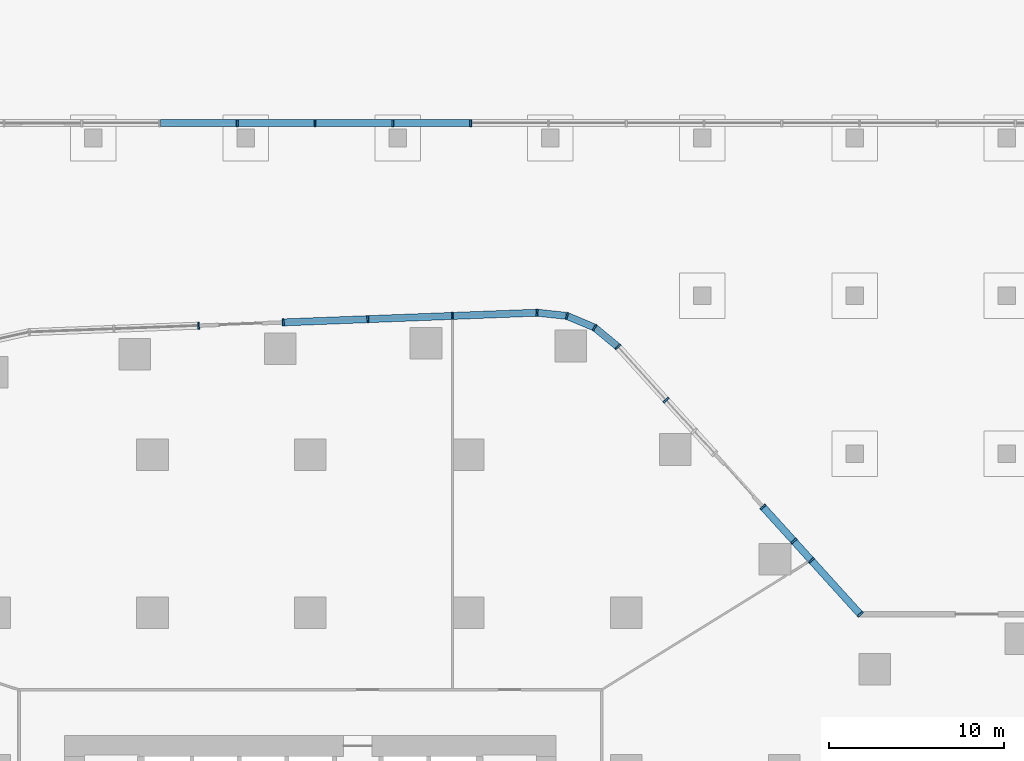
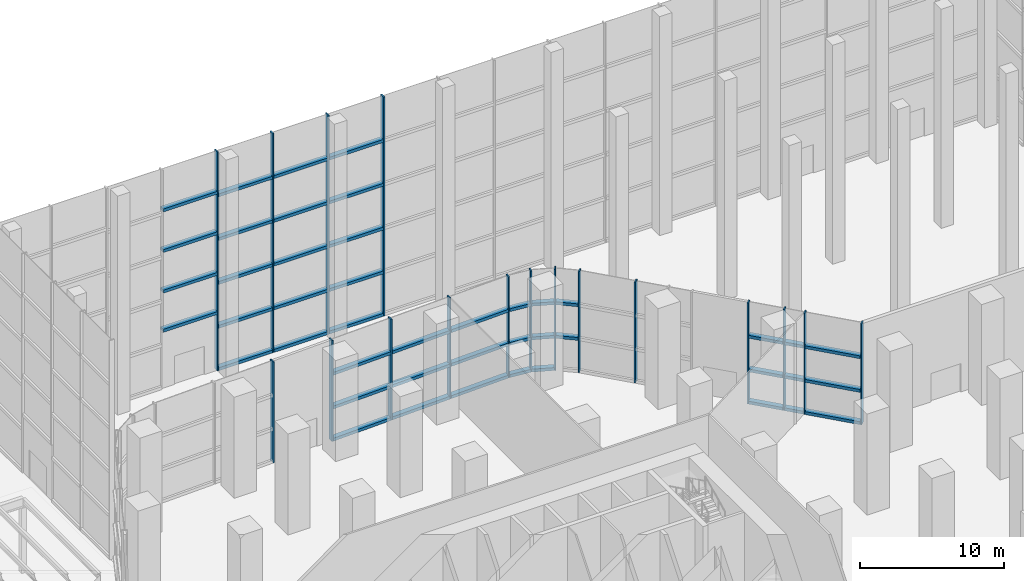
# One storey, part 17 of 40: 62 members, 8 elements without a shape of their own.
"""IFC4 building model written with IfcOpenShell, lengths in metres."""

from ifc_helpers import new_model, si_unit, direction, frame, origin, origin_2d, place, context, subcontext, project, spatial, rectangle, extrude, material, layer, layer_set, material_profile, profile_set, type_object, element, aggregate, save


model = new_model("IFC4")

# Units and contexts
model_context = context("Model", 3, precision=1e-05, world=origin(), true_north=direction((0.0, 1.0)))
body_context = subcontext(model_context, "Body", "Model", "MODEL_VIEW")
ifc_project = project(units=[si_unit("LENGTHUNIT", "METRE"), si_unit("AREAUNIT", "SQUARE_METRE"), si_unit("VOLUMEUNIT", "CUBIC_METRE"), si_unit("PLANEANGLEUNIT", "RADIAN"), si_unit("MASSUNIT", "GRAM", prefix="KILO")], contexts=[model_context])

# Site, building, storey
site_placement = place(None, origin())
site = spatial("IfcSite", under=ifc_project, at=site_placement, CompositionType="ELEMENT")
building_placement = place(site_placement, origin())
building = spatial("IfcBuilding", under=site, at=building_placement, Name="Dongbaek Canopy Tower", CompositionType="ELEMENT")
storey_placement = place(building_placement, origin())
storey = spatial("IfcBuildingStorey", under=building, at=storey_placement, Name="L00", CompositionType="ELEMENT", Elevation=0.0)

# Curtain wall, members
ifc_material_1 = material(Name="Aluminium 6063-T6 pale anodised", Category="aluminium")
ifc_layer = layer(ifc_material_1, 0.39990234375)
ifc_layer_set = layer_set([ifc_layer], Name="CW-3 lobby double-height curtain wall")
curtain_wall_type = type_object("IfcCurtainWallType", Name="CW-3 lobby double-height curtain wall", PredefinedType="NOTDEFINED", material=ifc_layer_set)
curtain_wall_1_placement = place(storey_placement, origin())
curtain_wall_1 = element("IfcCurtainWall", 1, at=curtain_wall_1_placement, inside=storey, type_object=curtain_wall_type, Name="CW-3 curtain wall F5.1a", PredefinedType="NOTDEFINED")
ifc_material_2 = material(Name="Aluminium 6063-T6 pale anodised", Category="aluminium")
ifc_material_profile_1 = material_profile(ifc_material_2, rectangle(XDim=0.39990234375, YDim=0.10009765625, at=origin_2d()), Name="CW-3 mullion 100 x 400")
ifc_profile_set_1 = profile_set([ifc_material_profile_1], Name="Aluminium 6063-T6 pale anodised")
member_type_1 = type_object("IfcMemberType", Name="CW-3 mullion 100 x 400", PredefinedType="MULLION", material=ifc_profile_set_1)
member_1_placement = place(storey_placement, frame((31.33837890625, 17.89990234375, 0.0), z_axis=(0.0, 0.0, 1.0), x_axis=(0.741222237121, 0.671259707711, 0.0)))
member_1 = element("IfcMember", 2, at=member_1_placement, type_object=member_type_1, Name="CW-3 mullion F5.1a.1", PredefinedType="MULLION", context=body_context, shape_type="SweptSolid", body=[
    extrude(rectangle(XDim=0.39990234375, YDim=0.10009765625, at=origin_2d()), origin(), (0.0, 0.0, 1.0), 8.550048828125),
])
member_2_placement = place(storey_placement, frame((28.55126953125, 20.977783203125, 0.0), z_axis=(0.0, 0.0, 1.0), x_axis=(0.741222237121, 0.671259707711, 0.0)))
member_2 = element("IfcMember", 3, at=member_2_placement, type_object=member_type_1, Name="CW-3 mullion F5.1a.2", PredefinedType="MULLION", context=body_context, shape_type="SweptSolid", body=[
    extrude(rectangle(XDim=0.39990234375, YDim=0.10009765625, at=origin_2d()), origin(), (0.0, 0.0, 1.0), 8.550048828125),
])
member_3_placement = place(storey_placement, frame((27.552490234375, 22.08056640625, 0.0), z_axis=(0.0, 0.0, 1.0), x_axis=(0.741222237121, 0.671259707711, 0.0)))
member_3 = element("IfcMember", 4, at=member_3_placement, type_object=member_type_1, Name="CW-3 mullion F5.1a.3", PredefinedType="MULLION", context=body_context, shape_type="SweptSolid", body=[
    extrude(rectangle(XDim=0.39990234375, YDim=0.10009765625, at=origin_2d()), origin(), (0.0, 0.0, 1.0), 8.550048828125),
])

# Curtain wall, member
curtain_wall_2_placement = place(storey_placement, origin())
curtain_wall_2 = element("IfcCurtainWall", 5, at=curtain_wall_2_placement, inside=storey, type_object=curtain_wall_type, Name="CW-3 curtain wall F5.1b", PredefinedType="NOTDEFINED")
member_4_placement = place(storey_placement, frame((25.793701171875, 24.022705078125, 0.0), z_axis=(0.0, 0.0, 1.0), x_axis=(0.741222237121, 0.671259707711, 0.0)))
member_4 = element("IfcMember", 6, at=member_4_placement, type_object=member_type_1, Name="CW-3 mullion F5.1b.2", PredefinedType="MULLION", context=body_context, shape_type="SweptSolid", body=[
    extrude(rectangle(XDim=0.39990234375, YDim=0.10009765625, at=origin_2d()), origin(), (0.0, 0.0, 1.0), 8.550048828125),
])

# Curtain wall, members
curtain_wall_3_placement = place(storey_placement, origin())
curtain_wall_3 = element("IfcCurtainWall", 7, at=curtain_wall_3_placement, inside=storey, type_object=curtain_wall_type, Name="CW-3 curtain wall F5.2b", PredefinedType="NOTDEFINED")
member_5_placement = place(storey_placement, frame((20.27880859375, 30.1123046875, 0.0), z_axis=(0.0, 0.0, 1.0), x_axis=(0.741222237121, 0.671259707711, 0.0)))
member_5 = element("IfcMember", 8, at=member_5_placement, type_object=member_type_1, Name="CW-3 mullion F5.2b.2", PredefinedType="MULLION", context=body_context, shape_type="SweptSolid", body=[
    extrude(rectangle(XDim=0.39990234375, YDim=0.10009765625, at=origin_2d()), origin(), (0.0, 0.0, 1.0), 8.550048828125),
])
member_6_placement = place(storey_placement, frame((17.5263671875, 33.15185546875, 0.0), z_axis=(0.0, 0.0, 1.0), x_axis=(0.741222237121, 0.671259707711, 0.0)))
member_6 = element("IfcMember", 9, at=member_6_placement, type_object=member_type_1, Name="CW-3 mullion F5.2b.3", PredefinedType="MULLION", context=body_context, shape_type="SweptSolid", body=[
    extrude(rectangle(XDim=0.39990234375, YDim=0.10009765625, at=origin_2d()), origin(), (0.0, 0.0, 1.0), 8.550048828125),
])
aggregate(curtain_wall_3, [member_5, member_6])

curtain_wall_4_placement = place(storey_placement, origin())
curtain_wall_4 = element("IfcCurtainWall", 10, at=curtain_wall_4_placement, inside=storey, type_object=curtain_wall_type, Name="CW-3 curtain wall K1.1", PredefinedType="NOTDEFINED")
member_7_placement = place(storey_placement, frame((16.200439453125, 34.24462890625, 0.0), z_axis=(0.0, 0.0, 1.0), x_axis=(0.517430788753, 0.855725060315, 0.0)))
member_7 = element("IfcMember", 11, at=member_7_placement, type_object=member_type_1, Name="CW-3 mullion K1.1.2", PredefinedType="MULLION", context=body_context, shape_type="SweptSolid", body=[
    extrude(rectangle(XDim=0.39990234375, YDim=0.10009765625, at=origin_2d()), origin(), (0.0, 0.0, 1.0), 8.550048828125),
])
member_8_placement = place(storey_placement, frame((14.62353515625, 34.908203125, 0.0), z_axis=(0.0, 0.0, 1.0), x_axis=(0.250118115276, 0.968215331634, 0.0)))
member_8 = element("IfcMember", 12, at=member_8_placement, type_object=member_type_1, Name="CW-3 mullion K1.1.3", PredefinedType="MULLION", context=body_context, shape_type="SweptSolid", body=[
    extrude(rectangle(XDim=0.39990234375, YDim=0.10009765625, at=origin_2d()), origin(), (0.0, 0.0, 1.0), 8.550048828125),
])
member_9_placement = place(storey_placement, frame((12.915283203125, 35.092041015625, 0.0), z_axis=(0.0, 0.0, 1.0), x_axis=(0.107074580622, 0.994250991543, 0.0)))
member_9 = element("IfcMember", 13, at=member_9_placement, type_object=member_type_1, Name="CW-3 mullion K1.1.4", PredefinedType="MULLION", context=body_context, shape_type="SweptSolid", body=[
    extrude(rectangle(XDim=0.39990234375, YDim=0.10009765625, at=origin_2d()), origin(), (0.0, 0.0, 1.0), 8.550048828125),
])

curtain_wall_5_placement = place(storey_placement, origin())
curtain_wall_5 = element("IfcCurtainWall", 14, at=curtain_wall_5_placement, inside=storey, type_object=curtain_wall_type, Name="CW-3 curtain wall F6.1", PredefinedType="NOTDEFINED")
member_10_placement = place(storey_placement, frame((8.0986328125, 34.907958984375, 0.0), z_axis=(0.0, 0.0, 1.0), x_axis=(-0.038231975991, 0.999268890746, 0.0)))
member_10 = element("IfcMember", 15, at=member_10_placement, type_object=member_type_1, Name="CW-3 mullion F6.1.2", PredefinedType="MULLION", context=body_context, shape_type="SweptSolid", body=[
    extrude(rectangle(XDim=0.39990234375, YDim=0.10009765625, at=origin_2d()), origin(), (0.0, 0.0, 1.0), 8.550048828125),
])
member_11_placement = place(storey_placement, frame((3.27490234375, 34.723388671875, 0.0), z_axis=(0.0, 0.0, 1.0), x_axis=(-0.038231975991, 0.999268890746, 0.0)))
member_11 = element("IfcMember", 16, at=member_11_placement, type_object=member_type_1, Name="CW-3 mullion F6.1.3", PredefinedType="MULLION", context=body_context, shape_type="SweptSolid", body=[
    extrude(rectangle(XDim=0.39990234375, YDim=0.10009765625, at=origin_2d()), origin(), (0.0, 0.0, 1.0), 8.550048828125),
])
member_12_placement = place(storey_placement, frame((-1.549072265625, 34.538818359375, 0.0), z_axis=(0.0, 0.0, 1.0), x_axis=(-0.038231975991, 0.999268890746, 0.0)))
member_12 = element("IfcMember", 17, at=member_12_placement, type_object=member_type_1, Name="CW-3 mullion F6.1.4", PredefinedType="MULLION", context=body_context, shape_type="SweptSolid", body=[
    extrude(rectangle(XDim=0.39990234375, YDim=0.10009765625, at=origin_2d()), origin(), (0.0, 0.0, 1.0), 8.550048828125),
])

# Curtain wall, member
curtain_wall_6_placement = place(storey_placement, origin())
curtain_wall_6 = element("IfcCurtainWall", 18, at=curtain_wall_6_placement, inside=storey, type_object=curtain_wall_type, Name="CW-3 curtain wall F6.2", PredefinedType="NOTDEFINED")
member_13_placement = place(storey_placement, frame((-6.372802734375, 34.354248046875, 0.0), z_axis=(0.0, 0.0, 1.0), x_axis=(-0.038231975991, 0.999268890746, 0.0)))
member_13 = element("IfcMember", 19, at=member_13_placement, type_object=member_type_1, Name="CW-3 mullion F6.2.1", PredefinedType="MULLION", context=body_context, shape_type="SweptSolid", body=[
    extrude(rectangle(XDim=0.39990234375, YDim=0.10009765625, at=origin_2d()), origin(), (0.0, 0.0, 1.0), 8.550048828125),
])
aggregate(curtain_wall_6, [member_13])

# Curtain wall, members
curtain_wall_7_placement = place(storey_placement, origin())
curtain_wall_7 = element("IfcCurtainWall", 20, at=curtain_wall_7_placement, inside=storey, type_object=curtain_wall_type, Name="CW-3 curtain wall HNN.3", PredefinedType="NOTDEFINED")
member_14_placement = place(storey_placement, frame((9.13330078125, 45.89990234375, 0.0), z_axis=(0.0, 0.0, 1.0), x_axis=(0.0, 1.0, 0.0)))
member_14 = element("IfcMember", 21, at=member_14_placement, type_object=member_type_1, Name="CW-3 mullion HNN.3.8", PredefinedType="MULLION", context=body_context, shape_type="SweptSolid", body=[
    extrude(rectangle(XDim=0.39990234375, YDim=0.10009765625, at=origin_2d()), origin(), (0.0, 0.0, 1.0), 18.550048828125),
])
member_15_placement = place(storey_placement, frame((4.699951171875, 45.89990234375, 0.0), z_axis=(0.0, 0.0, 1.0), x_axis=(0.0, 1.0, 0.0)))
member_15 = element("IfcMember", 22, at=member_15_placement, type_object=member_type_1, Name="CW-3 mullion HNN.3.9", PredefinedType="MULLION", context=body_context, shape_type="SweptSolid", body=[
    extrude(rectangle(XDim=0.39990234375, YDim=0.10009765625, at=origin_2d()), origin(), (0.0, 0.0, 1.0), 18.550048828125),
])
member_16_placement = place(storey_placement, frame((0.2666015625, 45.89990234375, 0.0), z_axis=(0.0, 0.0, 1.0), x_axis=(0.0, 1.0, 0.0)))
member_16 = element("IfcMember", 23, at=member_16_placement, type_object=member_type_1, Name="CW-3 mullion HNN.3.10", PredefinedType="MULLION", context=body_context, shape_type="SweptSolid", body=[
    extrude(rectangle(XDim=0.39990234375, YDim=0.10009765625, at=origin_2d()), origin(), (0.0, 0.0, 1.0), 18.550048828125),
])
member_17_placement = place(storey_placement, frame((-4.166748046875, 45.89990234375, 0.0), z_axis=(0.0, 0.0, 1.0), x_axis=(0.0, 1.0, 0.0)))
member_17 = element("IfcMember", 24, at=member_17_placement, type_object=member_type_1, Name="CW-3 mullion HNN.3.11", PredefinedType="MULLION", context=body_context, shape_type="SweptSolid", body=[
    extrude(rectangle(XDim=0.39990234375, YDim=0.10009765625, at=origin_2d()), origin(), (0.0, 0.0, 1.0), 18.550048828125),
])

# Member
ifc_material_3 = material(Name="Aluminium 6063-T6 pale anodised", Category="aluminium")
ifc_material_profile_2 = material_profile(ifc_material_3, rectangle(XDim=0.39990234375, YDim=0.25, at=origin_2d()), Name="CW-3 transom 250 x 400")
ifc_profile_set_2 = profile_set([ifc_material_profile_2], Name="Aluminium 6063-T6 pale anodised")
member_type_2 = type_object("IfcMemberType", Name="CW-3 transom 250 x 400", PredefinedType="USERDEFINED", material=ifc_profile_set_2)
member_18_placement = place(storey_placement, frame((31.296875, 17.946044921875, 0.125), z_axis=(-0.671271893885, 0.741211200995, 0.0), x_axis=(-0.741211200995, -0.671271893885, 0.0)))
member_18 = element("IfcMember", 25, at=member_18_placement, type_object=member_type_2, Name="CW-3 transom F5.1a.1.1", ObjectType="TRANSOM", PredefinedType="USERDEFINED", context=body_context, shape_type="SweptSolid", body=[
    extrude(rectangle(XDim=0.39990234375, YDim=0.25, at=origin_2d()), origin(), (0.0, 0.0, 1.0), 4.0283203125),
])

member_19_placement = place(storey_placement, frame((31.296875, 17.946044921875, 2.85009765625), z_axis=(-0.671271893885, 0.741211200995, 0.0), x_axis=(-0.741211200995, -0.671271893885, 0.0)))
member_19 = element("IfcMember", 26, at=member_19_placement, type_object=member_type_2, Name="CW-3 transom F5.1a.1.2", ObjectType="TRANSOM", PredefinedType="USERDEFINED", context=body_context, shape_type="SweptSolid", body=[
    extrude(rectangle(XDim=0.39990234375, YDim=0.25, at=origin_2d()), origin(), (0.0, 0.0, 1.0), 4.0283203125),
])

member_20_placement = place(storey_placement, frame((31.296875, 17.946044921875, 5.699951171875), z_axis=(-0.671271893885, 0.741211200995, 0.0), x_axis=(-0.741211200995, -0.671271893885, 0.0)))
member_20 = element("IfcMember", 27, at=member_20_placement, type_object=member_type_2, Name="CW-3 transom F5.1a.1.3", ObjectType="TRANSOM", PredefinedType="USERDEFINED", context=body_context, shape_type="SweptSolid", body=[
    extrude(rectangle(XDim=0.39990234375, YDim=0.25, at=origin_2d()), origin(), (0.0, 0.0, 1.0), 4.0283203125),
])

member_21_placement = place(storey_placement, frame((28.509521484375, 21.023681640625, 0.125), z_axis=(-0.671246033746, 0.741234620198, 0.0), x_axis=(-0.741234620198, -0.671246033746, 0.0)))
member_21 = element("IfcMember", 28, at=member_21_placement, type_object=member_type_2, Name="CW-3 transom F5.1a.2.1", ObjectType="TRANSOM", PredefinedType="USERDEFINED", context=body_context, shape_type="SweptSolid", body=[
    extrude(rectangle(XDim=0.39990234375, YDim=0.25, at=origin_2d()), origin(), (0.0, 0.0, 1.0), 1.364013671875),
])

member_22_placement = place(storey_placement, frame((28.509521484375, 21.023681640625, 2.85009765625), z_axis=(-0.671246033746, 0.741234620198, 0.0), x_axis=(-0.741234620198, -0.671246033746, 0.0)))
member_22 = element("IfcMember", 29, at=member_22_placement, type_object=member_type_2, Name="CW-3 transom F5.1a.2.2", ObjectType="TRANSOM", PredefinedType="USERDEFINED", context=body_context, shape_type="SweptSolid", body=[
    extrude(rectangle(XDim=0.39990234375, YDim=0.25, at=origin_2d()), origin(), (0.0, 0.0, 1.0), 1.364013671875),
])

member_23_placement = place(storey_placement, frame((28.509521484375, 21.023681640625, 5.699951171875), z_axis=(-0.671246033746, 0.741234620198, 0.0), x_axis=(-0.741234620198, -0.671246033746, 0.0)))
member_23 = element("IfcMember", 30, at=member_23_placement, type_object=member_type_2, Name="CW-3 transom F5.1a.2.3", ObjectType="TRANSOM", PredefinedType="USERDEFINED", context=body_context, shape_type="SweptSolid", body=[
    extrude(rectangle(XDim=0.39990234375, YDim=0.25, at=origin_2d()), origin(), (0.0, 0.0, 1.0), 1.364013671875),
])

aggregate(curtain_wall_1, [member_1, member_2, member_3, member_18, member_19, member_20, member_21, member_22, member_23])

member_24_placement = place(storey_placement, frame((27.50830078125, 22.12939453125, 0.125), z_axis=(-0.671267246585, 0.741215409758, 0.0), x_axis=(-0.741215409758, -0.671267246585, 0.0)))
member_24 = element("IfcMember", 31, at=member_24_placement, type_object=member_type_2, Name="CW-3 transom F5.1b.1.1", ObjectType="TRANSOM", PredefinedType="USERDEFINED", context=body_context, shape_type="SweptSolid", body=[
    extrude(rectangle(XDim=0.39990234375, YDim=0.25, at=origin_2d()), origin(), (0.0, 0.0, 1.0), 2.4921875),
])

member_25_placement = place(storey_placement, frame((27.50830078125, 22.12939453125, 2.85009765625), z_axis=(-0.671267246585, 0.741215409758, 0.0), x_axis=(-0.741215409758, -0.671267246585, 0.0)))
member_25 = element("IfcMember", 32, at=member_25_placement, type_object=member_type_2, Name="CW-3 transom F5.1b.1.2", ObjectType="TRANSOM", PredefinedType="USERDEFINED", context=body_context, shape_type="SweptSolid", body=[
    extrude(rectangle(XDim=0.39990234375, YDim=0.25, at=origin_2d()), origin(), (0.0, 0.0, 1.0), 2.4921875),
])

member_26_placement = place(storey_placement, frame((27.50830078125, 22.12939453125, 5.699951171875), z_axis=(-0.671267246585, 0.741215409758, 0.0), x_axis=(-0.741215409758, -0.671267246585, 0.0)))
member_26 = element("IfcMember", 33, at=member_26_placement, type_object=member_type_2, Name="CW-3 transom F5.1b.1.3", ObjectType="TRANSOM", PredefinedType="USERDEFINED", context=body_context, shape_type="SweptSolid", body=[
    extrude(rectangle(XDim=0.39990234375, YDim=0.25, at=origin_2d()), origin(), (0.0, 0.0, 1.0), 2.4921875),
])

aggregate(curtain_wall_2, [member_4, member_24, member_25, member_26])

member_27_placement = place(storey_placement, frame((17.478515625, 33.191162109375, 2.85009765625), z_axis=(-0.771687045079, 0.636002440606, 0.0), x_axis=(-0.636002440606, -0.771687045079, 0.0)))
member_27 = element("IfcMember", 34, at=member_27_placement, type_object=member_type_2, Name="CW-3 transom K1.1.1.2", ObjectType="TRANSOM", PredefinedType="USERDEFINED", context=body_context, shape_type="SweptSolid", body=[
    extrude(rectangle(XDim=0.39990234375, YDim=0.25, at=origin_2d()), origin(), (0.0, 0.0, 1.0), 1.59423828125),
])

member_28_placement = place(storey_placement, frame((17.478515625, 33.191162109375, 5.699951171875), z_axis=(-0.771687045079, 0.636002440606, 0.0), x_axis=(-0.636002440606, -0.771687045079, 0.0)))
member_28 = element("IfcMember", 35, at=member_28_placement, type_object=member_type_2, Name="CW-3 transom K1.1.1.3", ObjectType="TRANSOM", PredefinedType="USERDEFINED", context=body_context, shape_type="SweptSolid", body=[
    extrude(rectangle(XDim=0.39990234375, YDim=0.25, at=origin_2d()), origin(), (0.0, 0.0, 1.0), 1.59423828125),
])

member_29_placement = place(storey_placement, frame((16.143310546875, 34.2685546875, 0.125), z_axis=(-0.921719337917, 0.387857528107, 0.0), x_axis=(-0.387857528107, -0.921719337917, 0.0)))
member_29 = element("IfcMember", 36, at=member_29_placement, type_object=member_type_2, Name="CW-3 transom K1.1.2.1", ObjectType="TRANSOM", PredefinedType="USERDEFINED", context=body_context, shape_type="SweptSolid", body=[
    extrude(rectangle(XDim=0.39990234375, YDim=0.25, at=origin_2d()), origin(), (0.0, 0.0, 1.0), 1.5869140625),
])

member_30_placement = place(storey_placement, frame((16.143310546875, 34.2685546875, 2.85009765625), z_axis=(-0.921719337917, 0.387857528107, 0.0), x_axis=(-0.387857528107, -0.921719337917, 0.0)))
member_30 = element("IfcMember", 37, at=member_30_placement, type_object=member_type_2, Name="CW-3 transom K1.1.2.2", ObjectType="TRANSOM", PredefinedType="USERDEFINED", context=body_context, shape_type="SweptSolid", body=[
    extrude(rectangle(XDim=0.39990234375, YDim=0.25, at=origin_2d()), origin(), (0.0, 0.0, 1.0), 1.5869140625),
])

member_31_placement = place(storey_placement, frame((16.143310546875, 34.2685546875, 5.699951171875), z_axis=(-0.921719337917, 0.387857528107, 0.0), x_axis=(-0.387857528107, -0.921719337917, 0.0)))
member_31 = element("IfcMember", 38, at=member_31_placement, type_object=member_type_2, Name="CW-3 transom K1.1.2.3", ObjectType="TRANSOM", PredefinedType="USERDEFINED", context=body_context, shape_type="SweptSolid", body=[
    extrude(rectangle(XDim=0.39990234375, YDim=0.25, at=origin_2d()), origin(), (0.0, 0.0, 1.0), 1.5869140625),
])

member_32_placement = place(storey_placement, frame((14.56201171875, 34.914794921875, 0.125), z_axis=(-0.994253397519, 0.107052237348, 0.0), x_axis=(-0.107052237348, -0.994253397519, 0.0)))
member_32 = element("IfcMember", 39, at=member_32_placement, type_object=member_type_2, Name="CW-3 transom K1.1.3.1", ObjectType="TRANSOM", PredefinedType="USERDEFINED", context=body_context, shape_type="SweptSolid", body=[
    extrude(rectangle(XDim=0.39990234375, YDim=0.25, at=origin_2d()), origin(), (0.0, 0.0, 1.0), 1.59423828125),
])

member_33_placement = place(storey_placement, frame((14.56201171875, 34.914794921875, 2.85009765625), z_axis=(-0.994253397519, 0.107052237348, 0.0), x_axis=(-0.107052237348, -0.994253397519, 0.0)))
member_33 = element("IfcMember", 40, at=member_33_placement, type_object=member_type_2, Name="CW-3 transom K1.1.3.2", ObjectType="TRANSOM", PredefinedType="USERDEFINED", context=body_context, shape_type="SweptSolid", body=[
    extrude(rectangle(XDim=0.39990234375, YDim=0.25, at=origin_2d()), origin(), (0.0, 0.0, 1.0), 1.59423828125),
])

member_34_placement = place(storey_placement, frame((14.56201171875, 34.914794921875, 5.699951171875), z_axis=(-0.994253397519, 0.107052237348, 0.0), x_axis=(-0.107052237348, -0.994253397519, 0.0)))
member_34 = element("IfcMember", 41, at=member_34_placement, type_object=member_type_2, Name="CW-3 transom K1.1.3.3", ObjectType="TRANSOM", PredefinedType="USERDEFINED", context=body_context, shape_type="SweptSolid", body=[
    extrude(rectangle(XDim=0.39990234375, YDim=0.25, at=origin_2d()), origin(), (0.0, 0.0, 1.0), 1.59423828125),
])

aggregate(curtain_wall_4, [member_7, member_8, member_9, member_27, member_28, member_29, member_30, member_31, member_32, member_33, member_34])

member_35_placement = place(storey_placement, frame((12.853271484375, 35.08984375, 0.125), z_axis=(-0.999267687558, -0.038263410751, 0.0), x_axis=(0.038263410751, -0.999267687558, 0.0)))
member_35 = element("IfcMember", 42, at=member_35_placement, type_object=member_type_2, Name="CW-3 transom F6.1.1.1", ObjectType="TRANSOM", PredefinedType="USERDEFINED", context=body_context, shape_type="SweptSolid", body=[
    extrude(rectangle(XDim=0.39990234375, YDim=0.25, at=origin_2d()), origin(), (0.0, 0.0, 1.0), 4.696044921875),
])

member_36_placement = place(storey_placement, frame((12.853271484375, 35.08984375, 2.85009765625), z_axis=(-0.999267687558, -0.038263410751, 0.0), x_axis=(0.038263410751, -0.999267687558, 0.0)))
member_36 = element("IfcMember", 43, at=member_36_placement, type_object=member_type_2, Name="CW-3 transom F6.1.1.2", ObjectType="TRANSOM", PredefinedType="USERDEFINED", context=body_context, shape_type="SweptSolid", body=[
    extrude(rectangle(XDim=0.39990234375, YDim=0.25, at=origin_2d()), origin(), (0.0, 0.0, 1.0), 4.696044921875),
])

member_37_placement = place(storey_placement, frame((12.853271484375, 35.08984375, 5.699951171875), z_axis=(-0.999267687558, -0.038263410751, 0.0), x_axis=(0.038263410751, -0.999267687558, 0.0)))
member_37 = element("IfcMember", 44, at=member_37_placement, type_object=member_type_2, Name="CW-3 transom F6.1.1.3", ObjectType="TRANSOM", PredefinedType="USERDEFINED", context=body_context, shape_type="SweptSolid", body=[
    extrude(rectangle(XDim=0.39990234375, YDim=0.25, at=origin_2d()), origin(), (0.0, 0.0, 1.0), 4.696044921875),
])

member_38_placement = place(storey_placement, frame((8.036865234375, 34.905517578125, 0.125), z_axis=(-0.999267982739, -0.038255701173, 0.0), x_axis=(0.038255701173, -0.999267982739, 0.0)))
member_38 = element("IfcMember", 45, at=member_38_placement, type_object=member_type_2, Name="CW-3 transom F6.1.2.1", ObjectType="TRANSOM", PredefinedType="USERDEFINED", context=body_context, shape_type="SweptSolid", body=[
    extrude(rectangle(XDim=0.39990234375, YDim=0.25, at=origin_2d()), origin(), (0.0, 0.0, 1.0), 4.703369140625),
])

member_39_placement = place(storey_placement, frame((8.036865234375, 34.905517578125, 2.85009765625), z_axis=(-0.999267982739, -0.038255701173, 0.0), x_axis=(0.038255701173, -0.999267982739, 0.0)))
member_39 = element("IfcMember", 46, at=member_39_placement, type_object=member_type_2, Name="CW-3 transom F6.1.2.2", ObjectType="TRANSOM", PredefinedType="USERDEFINED", context=body_context, shape_type="SweptSolid", body=[
    extrude(rectangle(XDim=0.39990234375, YDim=0.25, at=origin_2d()), origin(), (0.0, 0.0, 1.0), 4.703369140625),
])

member_40_placement = place(storey_placement, frame((8.036865234375, 34.905517578125, 5.699951171875), z_axis=(-0.999267982739, -0.038255701173, 0.0), x_axis=(0.038255701173, -0.999267982739, 0.0)))
member_40 = element("IfcMember", 47, at=member_40_placement, type_object=member_type_2, Name="CW-3 transom F6.1.2.3", ObjectType="TRANSOM", PredefinedType="USERDEFINED", context=body_context, shape_type="SweptSolid", body=[
    extrude(rectangle(XDim=0.39990234375, YDim=0.25, at=origin_2d()), origin(), (0.0, 0.0, 1.0), 4.703369140625),
])

member_41_placement = place(storey_placement, frame((3.212890625, 34.720947265625, 0.125), z_axis=(-0.999267982739, -0.038255701173, 0.0), x_axis=(0.038255701173, -0.999267982739, 0.0)))
member_41 = element("IfcMember", 48, at=member_41_placement, type_object=member_type_2, Name="CW-3 transom F6.1.3.1", ObjectType="TRANSOM", PredefinedType="USERDEFINED", context=body_context, shape_type="SweptSolid", body=[
    extrude(rectangle(XDim=0.39990234375, YDim=0.25, at=origin_2d()), origin(), (0.0, 0.0, 1.0), 4.703369140625),
])

member_42_placement = place(storey_placement, frame((3.212890625, 34.720947265625, 2.85009765625), z_axis=(-0.999267982739, -0.038255701173, 0.0), x_axis=(0.038255701173, -0.999267982739, 0.0)))
member_42 = element("IfcMember", 49, at=member_42_placement, type_object=member_type_2, Name="CW-3 transom F6.1.3.2", ObjectType="TRANSOM", PredefinedType="USERDEFINED", context=body_context, shape_type="SweptSolid", body=[
    extrude(rectangle(XDim=0.39990234375, YDim=0.25, at=origin_2d()), origin(), (0.0, 0.0, 1.0), 4.703369140625),
])

member_43_placement = place(storey_placement, frame((3.212890625, 34.720947265625, 5.699951171875), z_axis=(-0.999267982739, -0.038255701173, 0.0), x_axis=(0.038255701173, -0.999267982739, 0.0)))
member_43 = element("IfcMember", 50, at=member_43_placement, type_object=member_type_2, Name="CW-3 transom F6.1.3.3", ObjectType="TRANSOM", PredefinedType="USERDEFINED", context=body_context, shape_type="SweptSolid", body=[
    extrude(rectangle(XDim=0.39990234375, YDim=0.25, at=origin_2d()), origin(), (0.0, 0.0, 1.0), 4.703369140625),
])

aggregate(curtain_wall_5, [member_10, member_11, member_12, member_35, member_36, member_37, member_38, member_39, member_40, member_41, member_42, member_43])

member_44_placement = place(storey_placement, frame((9.0712890625, 45.89990234375, 0.125), z_axis=(-1.0, 0.0, 0.0), x_axis=(0.0, -1.0, 0.0)))
member_44 = element("IfcMember", 51, at=member_44_placement, type_object=member_type_2, Name="CW-3 transom HNN.3.8.1", ObjectType="TRANSOM", PredefinedType="USERDEFINED", context=body_context, shape_type="SweptSolid", body=[
    extrude(rectangle(XDim=0.39990234375, YDim=0.25, at=origin_2d()), origin(), (0.0, 0.0, 1.0), 4.309326171875),
])

member_45_placement = place(storey_placement, frame((9.0712890625, 45.89990234375, 3.7099609375), z_axis=(-1.0, 0.0, 0.0), x_axis=(0.0, -1.0, 0.0)))
member_45 = element("IfcMember", 52, at=member_45_placement, type_object=member_type_2, Name="CW-3 transom HNN.3.8.2", ObjectType="TRANSOM", PredefinedType="USERDEFINED", context=body_context, shape_type="SweptSolid", body=[
    extrude(rectangle(XDim=0.39990234375, YDim=0.25, at=origin_2d()), origin(), (0.0, 0.0, 1.0), 4.309326171875),
])

member_46_placement = place(storey_placement, frame((9.0712890625, 45.89990234375, 7.419921875), z_axis=(-1.0, 0.0, 0.0), x_axis=(0.0, -1.0, 0.0)))
member_46 = element("IfcMember", 53, at=member_46_placement, type_object=member_type_2, Name="CW-3 transom HNN.3.8.3", ObjectType="TRANSOM", PredefinedType="USERDEFINED", context=body_context, shape_type="SweptSolid", body=[
    extrude(rectangle(XDim=0.39990234375, YDim=0.25, at=origin_2d()), origin(), (0.0, 0.0, 1.0), 4.309326171875),
])

member_47_placement = place(storey_placement, frame((9.0712890625, 45.89990234375, 11.1298828125), z_axis=(-1.0, 0.0, 0.0), x_axis=(0.0, -1.0, 0.0)))
member_47 = element("IfcMember", 54, at=member_47_placement, type_object=member_type_2, Name="CW-3 transom HNN.3.8.4", ObjectType="TRANSOM", PredefinedType="USERDEFINED", context=body_context, shape_type="SweptSolid", body=[
    extrude(rectangle(XDim=0.39990234375, YDim=0.25, at=origin_2d()), origin(), (0.0, 0.0, 1.0), 4.309326171875),
])

member_48_placement = place(storey_placement, frame((9.0712890625, 45.89990234375, 14.840087890625), z_axis=(-1.0, 0.0, 0.0), x_axis=(0.0, -1.0, 0.0)))
member_48 = element("IfcMember", 55, at=member_48_placement, type_object=member_type_2, Name="CW-3 transom HNN.3.8.5", ObjectType="TRANSOM", PredefinedType="USERDEFINED", context=body_context, shape_type="SweptSolid", body=[
    extrude(rectangle(XDim=0.39990234375, YDim=0.25, at=origin_2d()), origin(), (0.0, 0.0, 1.0), 4.309326171875),
])

member_49_placement = place(storey_placement, frame((4.637939453125, 45.89990234375, 0.125), z_axis=(-1.0, 0.0, 0.0), x_axis=(0.0, -1.0, 0.0)))
member_49 = element("IfcMember", 56, at=member_49_placement, type_object=member_type_2, Name="CW-3 transom HNN.3.9.1", ObjectType="TRANSOM", PredefinedType="USERDEFINED", context=body_context, shape_type="SweptSolid", body=[
    extrude(rectangle(XDim=0.39990234375, YDim=0.25, at=origin_2d()), origin(), (0.0, 0.0, 1.0), 4.309326171875),
])

member_50_placement = place(storey_placement, frame((4.637939453125, 45.89990234375, 3.7099609375), z_axis=(-1.0, 0.0, 0.0), x_axis=(0.0, -1.0, 0.0)))
member_50 = element("IfcMember", 57, at=member_50_placement, type_object=member_type_2, Name="CW-3 transom HNN.3.9.2", ObjectType="TRANSOM", PredefinedType="USERDEFINED", context=body_context, shape_type="SweptSolid", body=[
    extrude(rectangle(XDim=0.39990234375, YDim=0.25, at=origin_2d()), origin(), (0.0, 0.0, 1.0), 4.309326171875),
])

member_51_placement = place(storey_placement, frame((4.637939453125, 45.89990234375, 7.419921875), z_axis=(-1.0, 0.0, 0.0), x_axis=(0.0, -1.0, 0.0)))
member_51 = element("IfcMember", 58, at=member_51_placement, type_object=member_type_2, Name="CW-3 transom HNN.3.9.3", ObjectType="TRANSOM", PredefinedType="USERDEFINED", context=body_context, shape_type="SweptSolid", body=[
    extrude(rectangle(XDim=0.39990234375, YDim=0.25, at=origin_2d()), origin(), (0.0, 0.0, 1.0), 4.309326171875),
])

member_52_placement = place(storey_placement, frame((4.637939453125, 45.89990234375, 11.1298828125), z_axis=(-1.0, 0.0, 0.0), x_axis=(0.0, -1.0, 0.0)))
member_52 = element("IfcMember", 59, at=member_52_placement, type_object=member_type_2, Name="CW-3 transom HNN.3.9.4", ObjectType="TRANSOM", PredefinedType="USERDEFINED", context=body_context, shape_type="SweptSolid", body=[
    extrude(rectangle(XDim=0.39990234375, YDim=0.25, at=origin_2d()), origin(), (0.0, 0.0, 1.0), 4.309326171875),
])

member_53_placement = place(storey_placement, frame((4.637939453125, 45.89990234375, 14.840087890625), z_axis=(-1.0, 0.0, 0.0), x_axis=(0.0, -1.0, 0.0)))
member_53 = element("IfcMember", 60, at=member_53_placement, type_object=member_type_2, Name="CW-3 transom HNN.3.9.5", ObjectType="TRANSOM", PredefinedType="USERDEFINED", context=body_context, shape_type="SweptSolid", body=[
    extrude(rectangle(XDim=0.39990234375, YDim=0.25, at=origin_2d()), origin(), (0.0, 0.0, 1.0), 4.309326171875),
])

member_54_placement = place(storey_placement, frame((0.20458984375, 45.89990234375, 0.125), z_axis=(-1.0, 0.0, 0.0), x_axis=(0.0, -1.0, 0.0)))
member_54 = element("IfcMember", 61, at=member_54_placement, type_object=member_type_2, Name="CW-3 transom HNN.3.10.1", ObjectType="TRANSOM", PredefinedType="USERDEFINED", context=body_context, shape_type="SweptSolid", body=[
    extrude(rectangle(XDim=0.39990234375, YDim=0.25, at=origin_2d()), origin(), (0.0, 0.0, 1.0), 4.309326171875),
])

member_55_placement = place(storey_placement, frame((0.20458984375, 45.89990234375, 3.7099609375), z_axis=(-1.0, 0.0, 0.0), x_axis=(0.0, -1.0, 0.0)))
member_55 = element("IfcMember", 62, at=member_55_placement, type_object=member_type_2, Name="CW-3 transom HNN.3.10.2", ObjectType="TRANSOM", PredefinedType="USERDEFINED", context=body_context, shape_type="SweptSolid", body=[
    extrude(rectangle(XDim=0.39990234375, YDim=0.25, at=origin_2d()), origin(), (0.0, 0.0, 1.0), 4.309326171875),
])

member_56_placement = place(storey_placement, frame((0.20458984375, 45.89990234375, 7.419921875), z_axis=(-1.0, 0.0, 0.0), x_axis=(0.0, -1.0, 0.0)))
member_56 = element("IfcMember", 63, at=member_56_placement, type_object=member_type_2, Name="CW-3 transom HNN.3.10.3", ObjectType="TRANSOM", PredefinedType="USERDEFINED", context=body_context, shape_type="SweptSolid", body=[
    extrude(rectangle(XDim=0.39990234375, YDim=0.25, at=origin_2d()), origin(), (0.0, 0.0, 1.0), 4.309326171875),
])

member_57_placement = place(storey_placement, frame((0.20458984375, 45.89990234375, 11.1298828125), z_axis=(-1.0, 0.0, 0.0), x_axis=(0.0, -1.0, 0.0)))
member_57 = element("IfcMember", 64, at=member_57_placement, type_object=member_type_2, Name="CW-3 transom HNN.3.10.4", ObjectType="TRANSOM", PredefinedType="USERDEFINED", context=body_context, shape_type="SweptSolid", body=[
    extrude(rectangle(XDim=0.39990234375, YDim=0.25, at=origin_2d()), origin(), (0.0, 0.0, 1.0), 4.309326171875),
])

member_58_placement = place(storey_placement, frame((0.20458984375, 45.89990234375, 14.840087890625), z_axis=(-1.0, 0.0, 0.0), x_axis=(0.0, -1.0, 0.0)))
member_58 = element("IfcMember", 65, at=member_58_placement, type_object=member_type_2, Name="CW-3 transom HNN.3.10.5", ObjectType="TRANSOM", PredefinedType="USERDEFINED", context=body_context, shape_type="SweptSolid", body=[
    extrude(rectangle(XDim=0.39990234375, YDim=0.25, at=origin_2d()), origin(), (0.0, 0.0, 1.0), 4.309326171875),
])

aggregate(curtain_wall_7, [member_14, member_15, member_16, member_17, member_44, member_45, member_46, member_47, member_48, member_49, member_50, member_51, member_52, member_53, member_54, member_55, member_56, member_57, member_58])

# Curtain wall, members
curtain_wall_8_placement = place(storey_placement, origin())
curtain_wall_8 = element("IfcCurtainWall", 66, at=curtain_wall_8_placement, inside=storey, type_object=curtain_wall_type, Name="CW-3 curtain wall HNN.15U", PredefinedType="NOTDEFINED")
member_59_placement = place(storey_placement, frame((-4.228759765625, 45.89990234375, 4.925048828125), z_axis=(-1.0, 0.0, 0.0), x_axis=(0.0, -1.0, 0.0)))
member_59 = element("IfcMember", 67, at=member_59_placement, type_object=member_type_2, Name="CW-3 transom HNN.15U.1.1", ObjectType="TRANSOM", PredefinedType="USERDEFINED", context=body_context, shape_type="SweptSolid", body=[
    extrude(rectangle(XDim=0.39990234375, YDim=0.25, at=origin_2d()), origin(), (0.0, 0.0, 1.0), 4.309326171875),
])
member_60_placement = place(storey_placement, frame((-4.228759765625, 45.89990234375, 8.237548828125), z_axis=(-1.0, 0.0, 0.0), x_axis=(0.0, -1.0, 0.0)))
member_60 = element("IfcMember", 68, at=member_60_placement, type_object=member_type_2, Name="CW-3 transom HNN.15U.1.2", ObjectType="TRANSOM", PredefinedType="USERDEFINED", context=body_context, shape_type="SweptSolid", body=[
    extrude(rectangle(XDim=0.39990234375, YDim=0.25, at=origin_2d()), origin(), (0.0, 0.0, 1.0), 4.309326171875),
])
member_61_placement = place(storey_placement, frame((-4.228759765625, 45.89990234375, 11.675048828125), z_axis=(-1.0, 0.0, 0.0), x_axis=(0.0, -1.0, 0.0)))
member_61 = element("IfcMember", 69, at=member_61_placement, type_object=member_type_2, Name="CW-3 transom HNN.15U.1.3", ObjectType="TRANSOM", PredefinedType="USERDEFINED", context=body_context, shape_type="SweptSolid", body=[
    extrude(rectangle(XDim=0.39990234375, YDim=0.25, at=origin_2d()), origin(), (0.0, 0.0, 1.0), 4.309326171875),
])
member_62_placement = place(storey_placement, frame((-4.228759765625, 45.89990234375, 15.112548828125), z_axis=(-1.0, 0.0, 0.0), x_axis=(0.0, -1.0, 0.0)))
member_62 = element("IfcMember", 70, at=member_62_placement, type_object=member_type_2, Name="CW-3 transom HNN.15U.1.4", ObjectType="TRANSOM", PredefinedType="USERDEFINED", context=body_context, shape_type="SweptSolid", body=[
    extrude(rectangle(XDim=0.39990234375, YDim=0.25, at=origin_2d()), origin(), (0.0, 0.0, 1.0), 4.309326171875),
])
aggregate(curtain_wall_8, [member_59, member_60, member_61, member_62])

save(model, "model.ifc")
